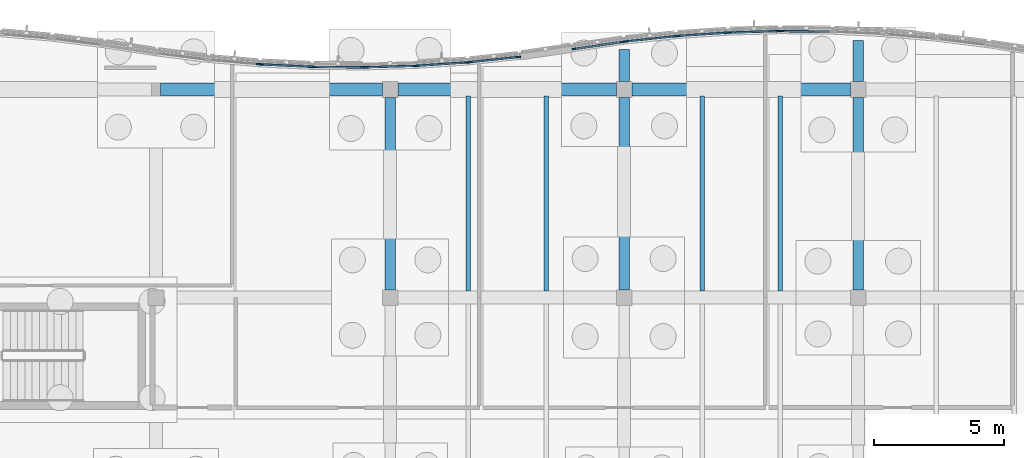
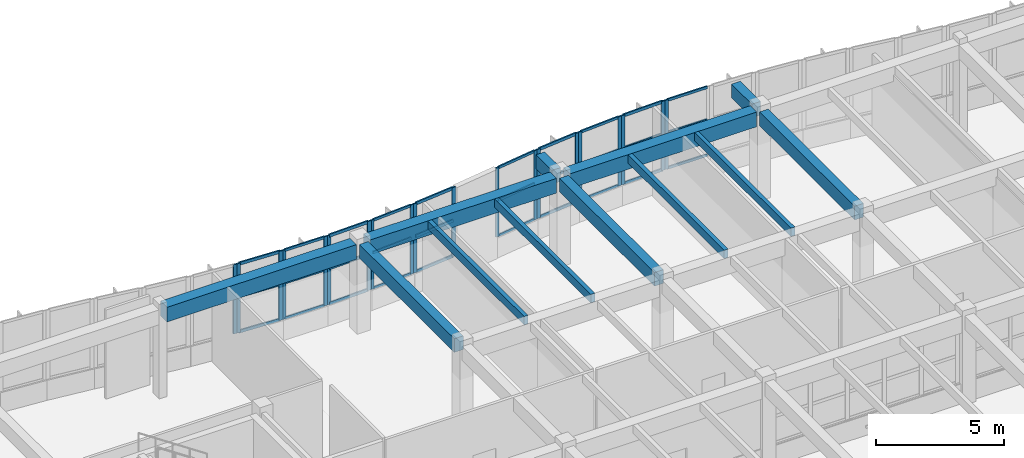
# One storey, part 33 of 99: 50 members, 12 beams, 11 elements without a shape of their own.
"""IFC4 building model written with IfcOpenShell, lengths in metres."""

from ifc_helpers import new_model, si_unit, direction, frame, origin, origin_2d, place, context, subcontext, project, spatial, rectangle, extrude, material, layer, layer_set, material_profile, profile_set, type_object, element, aggregate, save


model = new_model("IFC4")

# Units and contexts
model_context = context("Model", 3, precision=1e-05, world=origin(), true_north=direction((0.0, 1.0)))
body_context = subcontext(model_context, "Body", "Model", "MODEL_VIEW")
ifc_project = project(units=[si_unit("LENGTHUNIT", "METRE"), si_unit("AREAUNIT", "SQUARE_METRE"), si_unit("VOLUMEUNIT", "CUBIC_METRE"), si_unit("PLANEANGLEUNIT", "RADIAN"), si_unit("MASSUNIT", "GRAM", prefix="KILO")], contexts=[model_context])

# Site, building, storey
site_placement = place(None, origin())
site = spatial("IfcSite", under=ifc_project, at=site_placement, CompositionType="ELEMENT")
building_placement = place(site_placement, origin())
building = spatial("IfcBuilding", under=site, at=building_placement, Name="Tonlespit Floodbar School", CompositionType="ELEMENT")
storey_placement = place(building_placement, origin())
storey = spatial("IfcBuildingStorey", under=building, at=storey_placement, Name="L00", CompositionType="ELEMENT", Elevation=0.0)

# Beams
ifc_material_1 = material(Name="Concrete C40/50", Category="concrete")
ifc_material_profile_1 = material_profile(ifc_material_1, rectangle(XDim=0.39990234375, YDim=0.64990234375, at=origin_2d()), Name="RC 400x650")
ifc_profile_set_1 = profile_set([ifc_material_profile_1], Name="Concrete C40/50")
beam_type_1 = type_object("IfcBeamType", Name="Beam_RC_400x650", PredefinedType="BEAM", material=ifc_profile_set_1)
for number, where, z_axis, x_axis, name in (
    (1, (71.0, 112.300048828125, 3.9150390625), (0.0, 1.0, 0.0), (-1.0, 0.0, 0.0), "L00 girder 0243"),
    (2, (80.0, 112.300048828125, 3.9150390625), (0.0, 1.0, 0.0), (-1.0, 0.0, 0.0), "L00 girder 0247"),
    (3, (89.0, 112.300048828125, 3.9150390625), (0.0, 1.0, 0.0), (-1.0, 0.0, 0.0), "L00 girder 0251"),
):
    element("IfcBeam", number, at=place(storey_placement, frame(where, z_axis=z_axis, x_axis=x_axis)), inside=storey, type_object=beam_type_1, Name=name, PredefinedType="BEAM", context=body_context, shape_type="SweptSolid", body=[
        extrude(rectangle(XDim=0.39990234375, YDim=0.64990234375, at=origin_2d()), origin(), (0.0, 0.0, 1.0), 7.39990234375),
    ])
beam_1_placement = place(storey_placement, frame((80.0, 120.300048828125, 3.9150390625), z_axis=(0.0, 1.0, 0.0), x_axis=(-1.0, 0.0, 0.0)))
element("IfcBeam", 4, at=beam_1_placement, inside=storey, type_object=beam_type_1, Name="L00 north street wave cantilever bracket", PredefinedType="BEAM", context=body_context, shape_type="SweptSolid", body=[
    extrude(rectangle(XDim=0.39990234375, YDim=0.64990234375, at=origin_2d()), origin(), (0.0, 0.0, 1.0), 1.241455078125),
])
beam_2_placement = place(storey_placement, frame((89.0, 120.300048828125, 3.9150390625), z_axis=(0.0, 1.0, 0.0), x_axis=(-1.0, 0.0, 0.0)))
element("IfcBeam", 5, at=beam_2_placement, inside=storey, type_object=beam_type_1, Name="L00 north street wave cantilever bracket", PredefinedType="BEAM", context=body_context, shape_type="SweptSolid", body=[
    extrude(rectangle(XDim=0.39990234375, YDim=0.64990234375, at=origin_2d()), origin(), (0.0, 0.0, 1.0), 1.58935546875),
])

# Curtain wall, member
ifc_material_2 = material(Name="Anodised Aluminium", Category="aluminium")
ifc_layer_1 = layer(ifc_material_2, 0.159912109375)
ifc_layer_set_1 = layer_set([ifc_layer_1], Name="Anodised Aluminium")
curtain_wall_type_1 = type_object("IfcCurtainWallType", Name="CurtainWall_1950x3300", PredefinedType="NOTDEFINED", material=ifc_layer_set_1)
curtain_wall_1_placement = place(storey_placement, origin())
curtain_wall_1 = element("IfcCurtainWall", 6, at=curtain_wall_1_placement, inside=storey, type_object=curtain_wall_type_1, Name="L00 unitised curtain wall 0010", PredefinedType="NOTDEFINED")
ifc_material_profile_2 = material_profile(ifc_material_2, rectangle(XDim=0.06494140625, YDim=0.14990234375, at=origin_2d()), Name="ALU M65x150")
ifc_profile_set_2 = profile_set([ifc_material_profile_2], Name="Anodised Aluminium")
member_type_1 = type_object("IfcMemberType", Name="CW_Mullion_65x150", PredefinedType="MULLION", material=ifc_profile_set_2)
member_1_placement = place(storey_placement, frame((65.927734375, 120.974853515625, 0.949951171875), z_axis=(0.0, 0.0, 1.0), x_axis=(0.086531117454, 0.996249148412, 0.0)))
member_1 = element("IfcMember", 7, at=member_1_placement, type_object=member_type_1, Name="CW-01 mullion 2", PredefinedType="MULLION", context=body_context, shape_type="SweptSolid", body=[
    extrude(rectangle(XDim=0.06494140625, YDim=0.14990234375, at=origin_2d()), origin(), (0.0, 0.0, 1.0), 3.2900390625),
])
aggregate(curtain_wall_1, [member_1])

# Curtain wall, members
ifc_layer_2 = layer(ifc_material_2, 0.159912109375)
ifc_layer_set_2 = layer_set([ifc_layer_2], Name="Anodised Aluminium")
curtain_wall_type_2 = type_object("IfcCurtainWallType", Name="CurtainWall_1900x3300", PredefinedType="NOTDEFINED", material=ifc_layer_set_2)
curtain_wall_2_placement = place(storey_placement, origin())
curtain_wall_2 = element("IfcCurtainWall", 8, at=curtain_wall_2_placement, inside=storey, type_object=curtain_wall_type_2, Name="L00 unitised curtain wall 0012", PredefinedType="NOTDEFINED")
member_2_placement = place(storey_placement, frame((68.072509765625, 120.87158203125, 0.949951171875), z_axis=(0.0, 0.0, 1.0), x_axis=(0.009582893292, 0.999954083024, 0.0)))
member_2 = element("IfcMember", 9, at=member_2_placement, type_object=member_type_1, Name="CW-02 mullion 1", PredefinedType="MULLION", context=body_context, shape_type="SweptSolid", body=[
    extrude(rectangle(XDim=0.06494140625, YDim=0.14990234375, at=origin_2d()), origin(), (0.0, 0.0, 1.0), 3.2900390625),
])
member_3_placement = place(storey_placement, frame((69.927490234375, 120.853759765625, 0.949951171875), z_axis=(0.0, 0.0, 1.0), x_axis=(0.009582893292, 0.999954083024, 0.0)))
member_3 = element("IfcMember", 10, at=member_3_placement, type_object=member_type_1, Name="CW-02 mullion 2", PredefinedType="MULLION", context=body_context, shape_type="SweptSolid", body=[
    extrude(rectangle(XDim=0.06494140625, YDim=0.14990234375, at=origin_2d()), origin(), (0.0, 0.0, 1.0), 3.2900390625),
])

curtain_wall_3_placement = place(storey_placement, origin())
curtain_wall_3 = element("IfcCurtainWall", 11, at=curtain_wall_3_placement, inside=storey, type_object=curtain_wall_type_2, Name="L00 unitised curtain wall 0014", PredefinedType="NOTDEFINED")
member_4_placement = place(storey_placement, frame((72.072265625, 120.91552734375, 0.949951171875), z_axis=(0.0, 0.0, 1.0), x_axis=(-0.067339767311, 0.99773010165, 0.0)))
member_4 = element("IfcMember", 12, at=member_4_placement, type_object=member_type_1, Name="CW-02 mullion 1", PredefinedType="MULLION", context=body_context, shape_type="SweptSolid", body=[
    extrude(rectangle(XDim=0.06494140625, YDim=0.14990234375, at=origin_2d()), origin(), (0.0, 0.0, 1.0), 3.2900390625),
])
member_5_placement = place(storey_placement, frame((73.927734375, 121.040771484375, 0.949951171875), z_axis=(0.0, 0.0, 1.0), x_axis=(-0.067339767311, 0.99773010165, 0.0)))
member_5 = element("IfcMember", 13, at=member_5_placement, type_object=member_type_1, Name="CW-02 mullion 2", PredefinedType="MULLION", context=body_context, shape_type="SweptSolid", body=[
    extrude(rectangle(XDim=0.06494140625, YDim=0.14990234375, at=origin_2d()), origin(), (0.0, 0.0, 1.0), 3.2900390625),
])

curtain_wall_4_placement = place(storey_placement, origin())
curtain_wall_4 = element("IfcCurtainWall", 14, at=curtain_wall_4_placement, inside=storey, type_object=curtain_wall_type_1, Name="L00 unitised curtain wall 0016", PredefinedType="NOTDEFINED")
member_6_placement = place(storey_placement, frame((78.07177734375, 121.560546875, 0.949951171875), z_axis=(0.0, 0.0, 1.0), x_axis=(-0.144248041079, 0.989541561858, 0.0)))
member_6 = element("IfcMember", 15, at=member_6_placement, type_object=member_type_1, Name="CW-01 mullion 1", PredefinedType="MULLION", context=body_context, shape_type="SweptSolid", body=[
    extrude(rectangle(XDim=0.06494140625, YDim=0.14990234375, at=origin_2d()), origin(), (0.0, 0.0, 1.0), 3.2900390625),
])
member_7_placement = place(storey_placement, frame((79.92822265625, 121.8310546875, 0.949951171875), z_axis=(0.0, 0.0, 1.0), x_axis=(-0.144248041079, 0.989541561858, 0.0)))
member_7 = element("IfcMember", 16, at=member_7_placement, type_object=member_type_1, Name="CW-01 mullion 2", PredefinedType="MULLION", context=body_context, shape_type="SweptSolid", body=[
    extrude(rectangle(XDim=0.06494140625, YDim=0.14990234375, at=origin_2d()), origin(), (0.0, 0.0, 1.0), 3.2900390625),
])

curtain_wall_5_placement = place(storey_placement, origin())
curtain_wall_5 = element("IfcCurtainWall", 17, at=curtain_wall_5_placement, inside=storey, type_object=curtain_wall_type_2, Name="L00 unitised curtain wall 0018", PredefinedType="NOTDEFINED")
member_8_placement = place(storey_placement, frame((82.072265625, 122.05908203125, 0.949951171875), z_axis=(0.0, 0.0, 1.0), x_axis=(-0.067339767311, 0.99773010165, 0.0)))
member_8 = element("IfcMember", 18, at=member_8_placement, type_object=member_type_1, Name="CW-02 mullion 1", PredefinedType="MULLION", context=body_context, shape_type="SweptSolid", body=[
    extrude(rectangle(XDim=0.06494140625, YDim=0.14990234375, at=origin_2d()), origin(), (0.0, 0.0, 1.0), 3.2900390625),
])
member_9_placement = place(storey_placement, frame((83.927734375, 122.184326171875, 0.949951171875), z_axis=(0.0, 0.0, 1.0), x_axis=(-0.067339767311, 0.99773010165, 0.0)))
member_9 = element("IfcMember", 19, at=member_9_placement, type_object=member_type_1, Name="CW-02 mullion 2", PredefinedType="MULLION", context=body_context, shape_type="SweptSolid", body=[
    extrude(rectangle(XDim=0.06494140625, YDim=0.14990234375, at=origin_2d()), origin(), (0.0, 0.0, 1.0), 3.2900390625),
])

# Curtain wall, member
curtain_wall_6_placement = place(storey_placement, origin())
curtain_wall_6 = element("IfcCurtainWall", 20, at=curtain_wall_6_placement, inside=storey, type_object=curtain_wall_type_2, Name="L00 unitised curtain wall 0020", PredefinedType="NOTDEFINED")
member_10_placement = place(storey_placement, frame((86.072509765625, 122.246337890625, 0.949951171875), z_axis=(0.0, 0.0, 1.0), x_axis=(0.009582893292, 0.999954083024, 0.0)))
member_10 = element("IfcMember", 21, at=member_10_placement, type_object=member_type_1, Name="CW-02 mullion 1", PredefinedType="MULLION", context=body_context, shape_type="SweptSolid", body=[
    extrude(rectangle(XDim=0.06494140625, YDim=0.14990234375, at=origin_2d()), origin(), (0.0, 0.0, 1.0), 3.2900390625),
])

# Curtain wall, members
curtain_wall_7_placement = place(storey_placement, origin())
curtain_wall_7 = element("IfcCurtainWall", 22, at=curtain_wall_7_placement, inside=storey, type_object=curtain_wall_type_2, Name="L00 unitised curtain wall 0011", PredefinedType="NOTDEFINED")
ifc_material_profile_3 = material_profile(ifc_material_2, rectangle(XDim=0.06494140625, YDim=0.179931640625, at=origin_2d()), Name="ALU M65x180")
ifc_profile_set_3 = profile_set([ifc_material_profile_3], Name="Anodised Aluminium")
member_type_2 = type_object("IfcMemberType", Name="CW_Mullion_65x180", PredefinedType="MULLION", material=ifc_profile_set_3)
member_11_placement = place(storey_placement, frame((66.072509765625, 120.965087890625, 0.949951171875), z_axis=(0.0, 0.0, 1.0), x_axis=(0.048121270216, 0.998841500616, 0.0)))
member_11 = element("IfcMember", 23, at=member_11_placement, type_object=member_type_2, Name="CW-02 mullion 1", PredefinedType="MULLION", context=body_context, shape_type="SweptSolid", body=[
    extrude(rectangle(XDim=0.06494140625, YDim=0.179931640625, at=origin_2d()), origin(), (0.0, 0.0, 1.0), 3.2900390625),
])
member_12_placement = place(storey_placement, frame((67.927490234375, 120.875732421875, 0.949951171875), z_axis=(0.0, 0.0, 1.0), x_axis=(0.048121270216, 0.998841500616, 0.0)))
member_12 = element("IfcMember", 24, at=member_12_placement, type_object=member_type_2, Name="CW-02 mullion 2", PredefinedType="MULLION", context=body_context, shape_type="SweptSolid", body=[
    extrude(rectangle(XDim=0.06494140625, YDim=0.179931640625, at=origin_2d()), origin(), (0.0, 0.0, 1.0), 3.2900390625),
])

curtain_wall_8_placement = place(storey_placement, origin())
curtain_wall_8 = element("IfcCurtainWall", 25, at=curtain_wall_8_placement, inside=storey, type_object=curtain_wall_type_2, Name="L00 unitised curtain wall 0013", PredefinedType="NOTDEFINED")
member_13_placement = place(storey_placement, frame((70.072509765625, 120.855224609375, 0.949951171875), z_axis=(0.0, 0.0, 1.0), x_axis=(-0.028790144226, 0.999585477883, 0.0)))
member_13 = element("IfcMember", 26, at=member_13_placement, type_object=member_type_2, Name="CW-02 mullion 1", PredefinedType="MULLION", context=body_context, shape_type="SweptSolid", body=[
    extrude(rectangle(XDim=0.06494140625, YDim=0.179931640625, at=origin_2d()), origin(), (0.0, 0.0, 1.0), 3.2900390625),
])
member_14_placement = place(storey_placement, frame((71.927490234375, 120.908447265625, 0.949951171875), z_axis=(0.0, 0.0, 1.0), x_axis=(-0.028790144226, 0.999585477883, 0.0)))
member_14 = element("IfcMember", 27, at=member_14_placement, type_object=member_type_2, Name="CW-02 mullion 2", PredefinedType="MULLION", context=body_context, shape_type="SweptSolid", body=[
    extrude(rectangle(XDim=0.06494140625, YDim=0.179931640625, at=origin_2d()), origin(), (0.0, 0.0, 1.0), 3.2900390625),
])

curtain_wall_9_placement = place(storey_placement, origin())
curtain_wall_9 = element("IfcCurtainWall", 28, at=curtain_wall_9_placement, inside=storey, type_object=curtain_wall_type_1, Name="L00 unitised curtain wall 0015", PredefinedType="NOTDEFINED")
member_15_placement = place(storey_placement, frame((74.072021484375, 121.05322265625, 0.949951171875), z_axis=(0.0, 0.0, 1.0), x_axis=(-0.105787143968, 0.994388797288, 0.0)))
member_15 = element("IfcMember", 29, at=member_15_placement, type_object=member_type_2, Name="CW-01 mullion 1", PredefinedType="MULLION", context=body_context, shape_type="SweptSolid", body=[
    extrude(rectangle(XDim=0.06494140625, YDim=0.179931640625, at=origin_2d()), origin(), (0.0, 0.0, 1.0), 3.2900390625),
])
member_16_placement = place(storey_placement, frame((75.927978515625, 121.250732421875, 0.949951171875), z_axis=(0.0, 0.0, 1.0), x_axis=(-0.105787143968, 0.994388797288, 0.0)))
member_16 = element("IfcMember", 30, at=member_16_placement, type_object=member_type_2, Name="CW-01 mullion 2", PredefinedType="MULLION", context=body_context, shape_type="SweptSolid", body=[
    extrude(rectangle(XDim=0.06494140625, YDim=0.179931640625, at=origin_2d()), origin(), (0.0, 0.0, 1.0), 3.2900390625),
])

curtain_wall_10_placement = place(storey_placement, origin())
curtain_wall_10 = element("IfcCurtainWall", 31, at=curtain_wall_10_placement, inside=storey, type_object=curtain_wall_type_1, Name="L00 unitised curtain wall 0017", PredefinedType="NOTDEFINED")
member_17_placement = place(storey_placement, frame((80.072021484375, 121.84912109375, 0.949951171875), z_axis=(0.0, 0.0, 1.0), x_axis=(-0.105787143968, 0.994388797288, 0.0)))
member_17 = element("IfcMember", 32, at=member_17_placement, type_object=member_type_2, Name="CW-01 mullion 1", PredefinedType="MULLION", context=body_context, shape_type="SweptSolid", body=[
    extrude(rectangle(XDim=0.06494140625, YDim=0.179931640625, at=origin_2d()), origin(), (0.0, 0.0, 1.0), 3.2900390625),
])
member_18_placement = place(storey_placement, frame((81.927978515625, 122.046630859375, 0.949951171875), z_axis=(0.0, 0.0, 1.0), x_axis=(-0.105787143968, 0.994388797288, 0.0)))
member_18 = element("IfcMember", 33, at=member_18_placement, type_object=member_type_2, Name="CW-01 mullion 2", PredefinedType="MULLION", context=body_context, shape_type="SweptSolid", body=[
    extrude(rectangle(XDim=0.06494140625, YDim=0.179931640625, at=origin_2d()), origin(), (0.0, 0.0, 1.0), 3.2900390625),
])

curtain_wall_11_placement = place(storey_placement, origin())
curtain_wall_11 = element("IfcCurtainWall", 34, at=curtain_wall_11_placement, inside=storey, type_object=curtain_wall_type_2, Name="L00 unitised curtain wall 0019", PredefinedType="NOTDEFINED")
member_19_placement = place(storey_placement, frame((84.072509765625, 122.19140625, 0.949951171875), z_axis=(0.0, 0.0, 1.0), x_axis=(-0.028790144226, 0.999585477883, 0.0)))
member_19 = element("IfcMember", 35, at=member_19_placement, type_object=member_type_2, Name="CW-02 mullion 1", PredefinedType="MULLION", context=body_context, shape_type="SweptSolid", body=[
    extrude(rectangle(XDim=0.06494140625, YDim=0.179931640625, at=origin_2d()), origin(), (0.0, 0.0, 1.0), 3.2900390625),
])
member_20_placement = place(storey_placement, frame((85.927490234375, 122.244873046875, 0.949951171875), z_axis=(0.0, 0.0, 1.0), x_axis=(-0.028790144226, 0.999585477883, 0.0)))
member_20 = element("IfcMember", 36, at=member_20_placement, type_object=member_type_2, Name="CW-02 mullion 2", PredefinedType="MULLION", context=body_context, shape_type="SweptSolid", body=[
    extrude(rectangle(XDim=0.06494140625, YDim=0.179931640625, at=origin_2d()), origin(), (0.0, 0.0, 1.0), 3.2900390625),
])

# Member
ifc_material_profile_4 = material_profile(ifc_material_2, rectangle(XDim=0.06494140625, YDim=0.1201171875, at=origin_2d()), Name="ALU T65x120")
ifc_profile_set_4 = profile_set([ifc_material_profile_4], Name="Anodised Aluminium")
member_type_3 = type_object("IfcMemberType", Name="CW_Transom_65x120", PredefinedType="USERDEFINED", material=ifc_profile_set_4)
member_21_placement = place(storey_placement, frame((68.10498046875, 120.87109375, 0.982421875), z_axis=(0.999954428693, -0.00954675532, 0.0), x_axis=(0.00954675532, 0.999954428693, 0.0)))
member_21 = element("IfcMember", 37, at=member_21_placement, type_object=member_type_3, Name="CW-02 transom 1.1", ObjectType="TRANSOM", PredefinedType="USERDEFINED", context=body_context, shape_type="SweptSolid", body=[
    extrude(rectangle(XDim=0.06494140625, YDim=0.1201171875, at=origin_2d()), origin(), (0.0, 0.0, 1.0), 1.7900390625),
])

member_22_placement = place(storey_placement, frame((68.10498046875, 120.87109375, 2.660888671875), z_axis=(0.999954428693, -0.00954675532, 0.0), x_axis=(0.00954675532, 0.999954428693, 0.0)))
member_22 = element("IfcMember", 38, at=member_22_placement, type_object=member_type_3, Name="CW-02 transom 1.2", ObjectType="TRANSOM", PredefinedType="USERDEFINED", context=body_context, shape_type="SweptSolid", body=[
    extrude(rectangle(XDim=0.06494140625, YDim=0.1201171875, at=origin_2d()), origin(), (0.0, 0.0, 1.0), 1.7900390625),
])

member_23_placement = place(storey_placement, frame((68.10498046875, 120.87109375, 4.20751953125), z_axis=(0.999954428693, -0.00954675532, 0.0), x_axis=(0.00954675532, 0.999954428693, 0.0)))
member_23 = element("IfcMember", 39, at=member_23_placement, type_object=member_type_3, Name="CW-02 transom 1.3", ObjectType="TRANSOM", PredefinedType="USERDEFINED", context=body_context, shape_type="SweptSolid", body=[
    extrude(rectangle(XDim=0.06494140625, YDim=0.1201171875, at=origin_2d()), origin(), (0.0, 0.0, 1.0), 1.7900390625),
])

aggregate(curtain_wall_2, [member_2, member_3, member_21, member_22, member_23])

member_24_placement = place(storey_placement, frame((72.104736328125, 120.917724609375, 0.982421875), z_axis=(0.997730041674, 0.067340655935, 0.0), x_axis=(-0.067340655935, 0.997730041674, 0.0)))
member_24 = element("IfcMember", 40, at=member_24_placement, type_object=member_type_3, Name="CW-02 transom 1.1", ObjectType="TRANSOM", PredefinedType="USERDEFINED", context=body_context, shape_type="SweptSolid", body=[
    extrude(rectangle(XDim=0.06494140625, YDim=0.1201171875, at=origin_2d()), origin(), (0.0, 0.0, 1.0), 1.794677734375),
])

member_25_placement = place(storey_placement, frame((72.104736328125, 120.917724609375, 2.660888671875), z_axis=(0.997730041674, 0.067340655935, 0.0), x_axis=(-0.067340655935, 0.997730041674, 0.0)))
member_25 = element("IfcMember", 41, at=member_25_placement, type_object=member_type_3, Name="CW-02 transom 1.2", ObjectType="TRANSOM", PredefinedType="USERDEFINED", context=body_context, shape_type="SweptSolid", body=[
    extrude(rectangle(XDim=0.06494140625, YDim=0.1201171875, at=origin_2d()), origin(), (0.0, 0.0, 1.0), 1.794677734375),
])

member_26_placement = place(storey_placement, frame((72.104736328125, 120.917724609375, 4.20751953125), z_axis=(0.997730041674, 0.067340655935, 0.0), x_axis=(-0.067340655935, 0.997730041674, 0.0)))
member_26 = element("IfcMember", 42, at=member_26_placement, type_object=member_type_3, Name="CW-02 transom 1.3", ObjectType="TRANSOM", PredefinedType="USERDEFINED", context=body_context, shape_type="SweptSolid", body=[
    extrude(rectangle(XDim=0.06494140625, YDim=0.1201171875, at=origin_2d()), origin(), (0.0, 0.0, 1.0), 1.794677734375),
])

aggregate(curtain_wall_3, [member_4, member_5, member_24, member_25, member_26])

member_27_placement = place(storey_placement, frame((78.10400390625, 121.565185546875, 0.982421875), z_axis=(0.989541000818, 0.144251889765, 0.0), x_axis=(-0.144251889765, 0.989541000818, 0.0)))
member_27 = element("IfcMember", 43, at=member_27_placement, type_object=member_type_3, Name="CW-01 transom 1.1", ObjectType="TRANSOM", PredefinedType="USERDEFINED", context=body_context, shape_type="SweptSolid", body=[
    extrude(rectangle(XDim=0.06494140625, YDim=0.1201171875, at=origin_2d()), origin(), (0.0, 0.0, 1.0), 1.81103515625),
])

member_28_placement = place(storey_placement, frame((78.10400390625, 121.565185546875, 2.660888671875), z_axis=(0.989541000818, 0.144251889765, 0.0), x_axis=(-0.144251889765, 0.989541000818, 0.0)))
member_28 = element("IfcMember", 44, at=member_28_placement, type_object=member_type_3, Name="CW-01 transom 1.2", ObjectType="TRANSOM", PredefinedType="USERDEFINED", context=body_context, shape_type="SweptSolid", body=[
    extrude(rectangle(XDim=0.06494140625, YDim=0.1201171875, at=origin_2d()), origin(), (0.0, 0.0, 1.0), 1.81103515625),
])

member_29_placement = place(storey_placement, frame((78.10400390625, 121.565185546875, 4.20751953125), z_axis=(0.989541000818, 0.144251889765, 0.0), x_axis=(-0.144251889765, 0.989541000818, 0.0)))
member_29 = element("IfcMember", 45, at=member_29_placement, type_object=member_type_3, Name="CW-01 transom 1.3", ObjectType="TRANSOM", PredefinedType="USERDEFINED", context=body_context, shape_type="SweptSolid", body=[
    extrude(rectangle(XDim=0.06494140625, YDim=0.1201171875, at=origin_2d()), origin(), (0.0, 0.0, 1.0), 1.81103515625),
])

aggregate(curtain_wall_4, [member_6, member_7, member_27, member_28, member_29])

member_30_placement = place(storey_placement, frame((82.104736328125, 122.061279296875, 0.982421875), z_axis=(0.997730041674, 0.067340655935, 0.0), x_axis=(-0.067340655935, 0.997730041674, 0.0)))
member_30 = element("IfcMember", 46, at=member_30_placement, type_object=member_type_3, Name="CW-02 transom 1.1", ObjectType="TRANSOM", PredefinedType="USERDEFINED", context=body_context, shape_type="SweptSolid", body=[
    extrude(rectangle(XDim=0.06494140625, YDim=0.1201171875, at=origin_2d()), origin(), (0.0, 0.0, 1.0), 1.794677734375),
])

member_31_placement = place(storey_placement, frame((82.104736328125, 122.061279296875, 2.660888671875), z_axis=(0.997730041674, 0.067340655935, 0.0), x_axis=(-0.067340655935, 0.997730041674, 0.0)))
member_31 = element("IfcMember", 47, at=member_31_placement, type_object=member_type_3, Name="CW-02 transom 1.2", ObjectType="TRANSOM", PredefinedType="USERDEFINED", context=body_context, shape_type="SweptSolid", body=[
    extrude(rectangle(XDim=0.06494140625, YDim=0.1201171875, at=origin_2d()), origin(), (0.0, 0.0, 1.0), 1.794677734375),
])

member_32_placement = place(storey_placement, frame((82.104736328125, 122.061279296875, 4.20751953125), z_axis=(0.997730041674, 0.067340655935, 0.0), x_axis=(-0.067340655935, 0.997730041674, 0.0)))
member_32 = element("IfcMember", 48, at=member_32_placement, type_object=member_type_3, Name="CW-02 transom 1.3", ObjectType="TRANSOM", PredefinedType="USERDEFINED", context=body_context, shape_type="SweptSolid", body=[
    extrude(rectangle(XDim=0.06494140625, YDim=0.1201171875, at=origin_2d()), origin(), (0.0, 0.0, 1.0), 1.794677734375),
])

aggregate(curtain_wall_5, [member_8, member_9, member_30, member_31, member_32])

member_33_placement = place(storey_placement, frame((86.10498046875, 122.24609375, 0.982421875), z_axis=(0.999953117448, -0.009683124842, 0.0), x_axis=(0.009683124842, 0.999953117448, 0.0)))
member_33 = element("IfcMember", 49, at=member_33_placement, type_object=member_type_3, Name="CW-02 transom 1.1", ObjectType="TRANSOM", PredefinedType="USERDEFINED", context=body_context, shape_type="SweptSolid", body=[
    extrude(rectangle(XDim=0.06494140625, YDim=0.1201171875, at=origin_2d()), origin(), (0.0, 0.0, 1.0), 1.7900390625),
])

member_34_placement = place(storey_placement, frame((86.10498046875, 122.24609375, 2.660888671875), z_axis=(0.999953117448, -0.009683124842, 0.0), x_axis=(0.009683124842, 0.999953117448, 0.0)))
member_34 = element("IfcMember", 50, at=member_34_placement, type_object=member_type_3, Name="CW-02 transom 1.2", ObjectType="TRANSOM", PredefinedType="USERDEFINED", context=body_context, shape_type="SweptSolid", body=[
    extrude(rectangle(XDim=0.06494140625, YDim=0.1201171875, at=origin_2d()), origin(), (0.0, 0.0, 1.0), 1.7900390625),
])

member_35_placement = place(storey_placement, frame((86.10498046875, 122.24609375, 4.20751953125), z_axis=(0.999953117448, -0.009683124842, 0.0), x_axis=(0.009683124842, 0.999953117448, 0.0)))
member_35 = element("IfcMember", 51, at=member_35_placement, type_object=member_type_3, Name="CW-02 transom 1.3", ObjectType="TRANSOM", PredefinedType="USERDEFINED", context=body_context, shape_type="SweptSolid", body=[
    extrude(rectangle(XDim=0.06494140625, YDim=0.1201171875, at=origin_2d()), origin(), (0.0, 0.0, 1.0), 1.7900390625),
])

aggregate(curtain_wall_6, [member_10, member_33, member_34, member_35])

ifc_material_profile_5 = material_profile(ifc_material_2, rectangle(XDim=0.06494140625, YDim=0.139892578125, at=origin_2d()), Name="ALU T65x140")
ifc_profile_set_5 = profile_set([ifc_material_profile_5], Name="Anodised Aluminium")
member_type_4 = type_object("IfcMemberType", Name="CW_Transom_65x140", PredefinedType="USERDEFINED", material=ifc_profile_set_5)
member_36_placement = place(storey_placement, frame((66.10498046875, 120.96337890625, 0.982421875), z_axis=(0.998843034795, -0.048089415069, 0.0), x_axis=(0.048089415069, 0.998843034795, 0.0)))
member_36 = element("IfcMember", 52, at=member_36_placement, type_object=member_type_4, Name="CW-02 transom 1.1", ObjectType="TRANSOM", PredefinedType="USERDEFINED", context=body_context, shape_type="SweptSolid", body=[
    extrude(rectangle(XDim=0.06494140625, YDim=0.139892578125, at=origin_2d()), origin(), (0.0, 0.0, 1.0), 1.7919921875),
])

member_37_placement = place(storey_placement, frame((66.10498046875, 120.96337890625, 2.660888671875), z_axis=(0.998843034795, -0.048089415069, 0.0), x_axis=(0.048089415069, 0.998843034795, 0.0)))
member_37 = element("IfcMember", 53, at=member_37_placement, type_object=member_type_4, Name="CW-02 transom 1.2", ObjectType="TRANSOM", PredefinedType="USERDEFINED", context=body_context, shape_type="SweptSolid", body=[
    extrude(rectangle(XDim=0.06494140625, YDim=0.139892578125, at=origin_2d()), origin(), (0.0, 0.0, 1.0), 1.7919921875),
])

member_38_placement = place(storey_placement, frame((66.10498046875, 120.96337890625, 4.20751953125), z_axis=(0.998843034795, -0.048089415069, 0.0), x_axis=(0.048089415069, 0.998843034795, 0.0)))
member_38 = element("IfcMember", 54, at=member_38_placement, type_object=member_type_4, Name="CW-02 transom 1.3", ObjectType="TRANSOM", PredefinedType="USERDEFINED", context=body_context, shape_type="SweptSolid", body=[
    extrude(rectangle(XDim=0.06494140625, YDim=0.139892578125, at=origin_2d()), origin(), (0.0, 0.0, 1.0), 1.7919921875),
])

aggregate(curtain_wall_7, [member_11, member_12, member_36, member_37, member_38])

member_39_placement = place(storey_placement, frame((70.10498046875, 120.85595703125, 0.982421875), z_axis=(0.999582242166, 0.028902268868, 0.0), x_axis=(-0.028902268868, 0.999582242166, 0.0)))
member_39 = element("IfcMember", 55, at=member_39_placement, type_object=member_type_4, Name="CW-02 transom 1.1", ObjectType="TRANSOM", PredefinedType="USERDEFINED", context=body_context, shape_type="SweptSolid", body=[
    extrude(rectangle(XDim=0.06494140625, YDim=0.139892578125, at=origin_2d()), origin(), (0.0, 0.0, 1.0), 1.790771484375),
])

member_40_placement = place(storey_placement, frame((70.10498046875, 120.85595703125, 2.660888671875), z_axis=(0.999582242166, 0.028902268868, 0.0), x_axis=(-0.028902268868, 0.999582242166, 0.0)))
member_40 = element("IfcMember", 56, at=member_40_placement, type_object=member_type_4, Name="CW-02 transom 1.2", ObjectType="TRANSOM", PredefinedType="USERDEFINED", context=body_context, shape_type="SweptSolid", body=[
    extrude(rectangle(XDim=0.06494140625, YDim=0.139892578125, at=origin_2d()), origin(), (0.0, 0.0, 1.0), 1.790771484375),
])

member_41_placement = place(storey_placement, frame((70.10498046875, 120.85595703125, 4.20751953125), z_axis=(0.999582242166, 0.028902268868, 0.0), x_axis=(-0.028902268868, 0.999582242166, 0.0)))
member_41 = element("IfcMember", 57, at=member_41_placement, type_object=member_type_4, Name="CW-02 transom 1.3", ObjectType="TRANSOM", PredefinedType="USERDEFINED", context=body_context, shape_type="SweptSolid", body=[
    extrude(rectangle(XDim=0.06494140625, YDim=0.139892578125, at=origin_2d()), origin(), (0.0, 0.0, 1.0), 1.790771484375),
])

aggregate(curtain_wall_8, [member_13, member_14, member_39, member_40, member_41])

member_42_placement = place(storey_placement, frame((74.1044921875, 121.056884765625, 0.982421875), z_axis=(0.994394979136, 0.105729019047, 0.0), x_axis=(-0.105729019047, 0.994394979136, 0.0)))
member_42 = element("IfcMember", 58, at=member_42_placement, type_object=member_type_4, Name="CW-01 transom 1.1", ObjectType="TRANSOM", PredefinedType="USERDEFINED", context=body_context, shape_type="SweptSolid", body=[
    extrude(rectangle(XDim=0.06494140625, YDim=0.139892578125, at=origin_2d()), origin(), (0.0, 0.0, 1.0), 1.801025390625),
])

member_43_placement = place(storey_placement, frame((74.1044921875, 121.056884765625, 2.660888671875), z_axis=(0.994394979136, 0.105729019047, 0.0), x_axis=(-0.105729019047, 0.994394979136, 0.0)))
member_43 = element("IfcMember", 59, at=member_43_placement, type_object=member_type_4, Name="CW-01 transom 1.2", ObjectType="TRANSOM", PredefinedType="USERDEFINED", context=body_context, shape_type="SweptSolid", body=[
    extrude(rectangle(XDim=0.06494140625, YDim=0.139892578125, at=origin_2d()), origin(), (0.0, 0.0, 1.0), 1.801025390625),
])

member_44_placement = place(storey_placement, frame((74.1044921875, 121.056884765625, 4.20751953125), z_axis=(0.994394979136, 0.105729019047, 0.0), x_axis=(-0.105729019047, 0.994394979136, 0.0)))
member_44 = element("IfcMember", 60, at=member_44_placement, type_object=member_type_4, Name="CW-01 transom 1.3", ObjectType="TRANSOM", PredefinedType="USERDEFINED", context=body_context, shape_type="SweptSolid", body=[
    extrude(rectangle(XDim=0.06494140625, YDim=0.139892578125, at=origin_2d()), origin(), (0.0, 0.0, 1.0), 1.801025390625),
])

aggregate(curtain_wall_9, [member_15, member_16, member_42, member_43, member_44])

member_45_placement = place(storey_placement, frame((80.1044921875, 121.852783203125, 0.982421875), z_axis=(0.994394979136, 0.105729019047, 0.0), x_axis=(-0.105729019047, 0.994394979136, 0.0)))
member_45 = element("IfcMember", 61, at=member_45_placement, type_object=member_type_4, Name="CW-01 transom 1.1", ObjectType="TRANSOM", PredefinedType="USERDEFINED", context=body_context, shape_type="SweptSolid", body=[
    extrude(rectangle(XDim=0.06494140625, YDim=0.139892578125, at=origin_2d()), origin(), (0.0, 0.0, 1.0), 1.801025390625),
])

member_46_placement = place(storey_placement, frame((80.1044921875, 121.852783203125, 2.660888671875), z_axis=(0.994394979136, 0.105729019047, 0.0), x_axis=(-0.105729019047, 0.994394979136, 0.0)))
member_46 = element("IfcMember", 62, at=member_46_placement, type_object=member_type_4, Name="CW-01 transom 1.2", ObjectType="TRANSOM", PredefinedType="USERDEFINED", context=body_context, shape_type="SweptSolid", body=[
    extrude(rectangle(XDim=0.06494140625, YDim=0.139892578125, at=origin_2d()), origin(), (0.0, 0.0, 1.0), 1.801025390625),
])

member_47_placement = place(storey_placement, frame((80.1044921875, 121.852783203125, 4.20751953125), z_axis=(0.994394979136, 0.105729019047, 0.0), x_axis=(-0.105729019047, 0.994394979136, 0.0)))
member_47 = element("IfcMember", 63, at=member_47_placement, type_object=member_type_4, Name="CW-01 transom 1.3", ObjectType="TRANSOM", PredefinedType="USERDEFINED", context=body_context, shape_type="SweptSolid", body=[
    extrude(rectangle(XDim=0.06494140625, YDim=0.139892578125, at=origin_2d()), origin(), (0.0, 0.0, 1.0), 1.801025390625),
])

aggregate(curtain_wall_10, [member_17, member_18, member_45, member_46, member_47])

member_48_placement = place(storey_placement, frame((84.10498046875, 122.1923828125, 0.982421875), z_axis=(0.999586171543, 0.02876605049, 0.0), x_axis=(-0.02876605049, 0.999586171543, 0.0)))
member_48 = element("IfcMember", 64, at=member_48_placement, type_object=member_type_4, Name="CW-02 transom 1.1", ObjectType="TRANSOM", PredefinedType="USERDEFINED", context=body_context, shape_type="SweptSolid", body=[
    extrude(rectangle(XDim=0.06494140625, YDim=0.139892578125, at=origin_2d()), origin(), (0.0, 0.0, 1.0), 1.790771484375),
])

member_49_placement = place(storey_placement, frame((84.10498046875, 122.1923828125, 2.660888671875), z_axis=(0.999586171543, 0.02876605049, 0.0), x_axis=(-0.02876605049, 0.999586171543, 0.0)))
member_49 = element("IfcMember", 65, at=member_49_placement, type_object=member_type_4, Name="CW-02 transom 1.2", ObjectType="TRANSOM", PredefinedType="USERDEFINED", context=body_context, shape_type="SweptSolid", body=[
    extrude(rectangle(XDim=0.06494140625, YDim=0.139892578125, at=origin_2d()), origin(), (0.0, 0.0, 1.0), 1.790771484375),
])

member_50_placement = place(storey_placement, frame((84.10498046875, 122.1923828125, 4.20751953125), z_axis=(0.999586171543, 0.02876605049, 0.0), x_axis=(-0.02876605049, 0.999586171543, 0.0)))
member_50 = element("IfcMember", 66, at=member_50_placement, type_object=member_type_4, Name="CW-02 transom 1.3", ObjectType="TRANSOM", PredefinedType="USERDEFINED", context=body_context, shape_type="SweptSolid", body=[
    extrude(rectangle(XDim=0.06494140625, YDim=0.139892578125, at=origin_2d()), origin(), (0.0, 0.0, 1.0), 1.790771484375),
])

aggregate(curtain_wall_11, [member_19, member_20, member_48, member_49, member_50])

# Beams
ifc_material_3 = material(Name="Glulam GL28h", Category="wood")
ifc_material_profile_6 = material_profile(ifc_material_3, rectangle(XDim=0.179931640625, YDim=0.39990234375, at=origin_2d()), Name="GL 180x400")
ifc_profile_set_6 = profile_set([ifc_material_profile_6], Name="Glulam GL28h")
beam_type_2 = type_object("IfcBeamType", Name="Joist_GL_180x400", PredefinedType="JOIST", material=ifc_profile_set_6)
for number, where, z_axis, x_axis, name in (
    (67, (74.0, 112.25, 4.0400390625), (0.0, 1.0, 0.0), (-1.0, 0.0, 0.0), "L00 secondary joist 0525"),
    (68, (77.0, 112.25, 4.0400390625), (0.0, 1.0, 0.0), (-1.0, 0.0, 0.0), "L00 secondary joist 0526"),
    (69, (83.0, 112.25, 4.0400390625), (0.0, 1.0, 0.0), (-1.0, 0.0, 0.0), "L00 secondary joist 0527"),
    (70, (86.0, 112.25, 4.0400390625), (0.0, 1.0, 0.0), (-1.0, 0.0, 0.0), "L00 secondary joist 0528"),
):
    element("IfcBeam", number, at=place(storey_placement, frame(where, z_axis=z_axis, x_axis=x_axis)), inside=storey, type_object=beam_type_2, Name=name, PredefinedType="JOIST", context=body_context, shape_type="SweptSolid", body=[
        extrude(rectangle(XDim=0.179931640625, YDim=0.39990234375, at=origin_2d()), origin(), (0.0, 0.0, 1.0), 7.5),
    ])
ifc_material_profile_7 = material_profile(ifc_material_1, rectangle(XDim=0.5, YDim=0.699951171875, at=origin_2d()), Name="RC 500x700")
ifc_profile_set_7 = profile_set([ifc_material_profile_7], Name="Concrete C40/50")
beam_type_3 = type_object("IfcBeamType", Name="Spandrel_RC_500x700", PredefinedType="SPANDREL", material=ifc_profile_set_7)
beam_3_placement = place(storey_placement, frame((62.175048828125, 120.0, 3.889892578125), z_axis=(1.0, 0.0, 0.0), x_axis=(0.0, 1.0, 0.0)))
element("IfcBeam", 71, at=beam_3_placement, inside=storey, type_object=beam_type_3, Name="L00 girder 0153", PredefinedType="SPANDREL", context=body_context, shape_type="SweptSolid", body=[
    extrude(rectangle(XDim=0.5, YDim=0.699951171875, at=origin_2d()), origin(), (0.0, 0.0, 1.0), 8.52490234375),
])
for number, where, z_axis, x_axis, name in (
    (72, (71.300048828125, 120.0, 3.889892578125), (1.0, 0.0, 0.0), (0.0, 1.0, 0.0), "L00 girder 0154"),
    (73, (80.300048828125, 120.0, 3.889892578125), (1.0, 0.0, 0.0), (0.0, 1.0, 0.0), "L00 girder 0155"),
):
    element("IfcBeam", number, at=place(storey_placement, frame(where, z_axis=z_axis, x_axis=x_axis)), inside=storey, type_object=beam_type_3, Name=name, PredefinedType="SPANDREL", context=body_context, shape_type="SweptSolid", body=[
        extrude(rectangle(XDim=0.5, YDim=0.699951171875, at=origin_2d()), origin(), (0.0, 0.0, 1.0), 8.39990234375),
    ])

save(model, "model.ifc")
